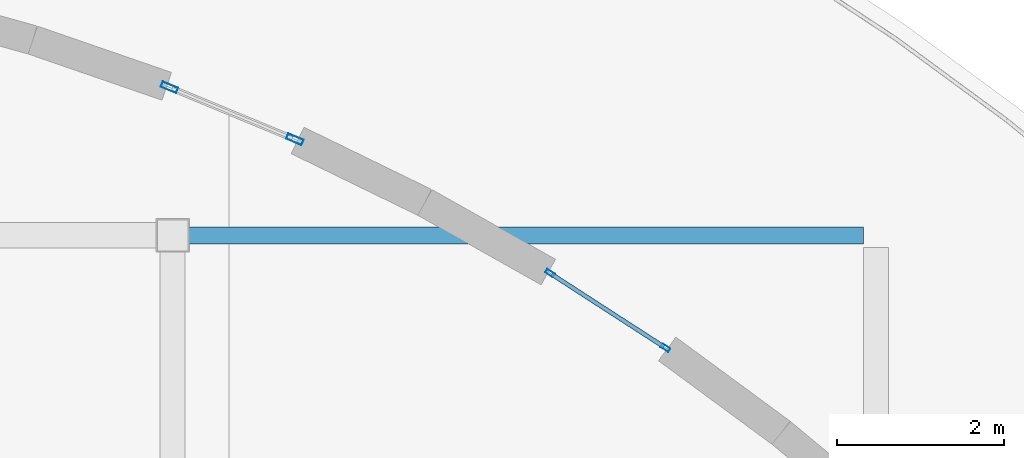
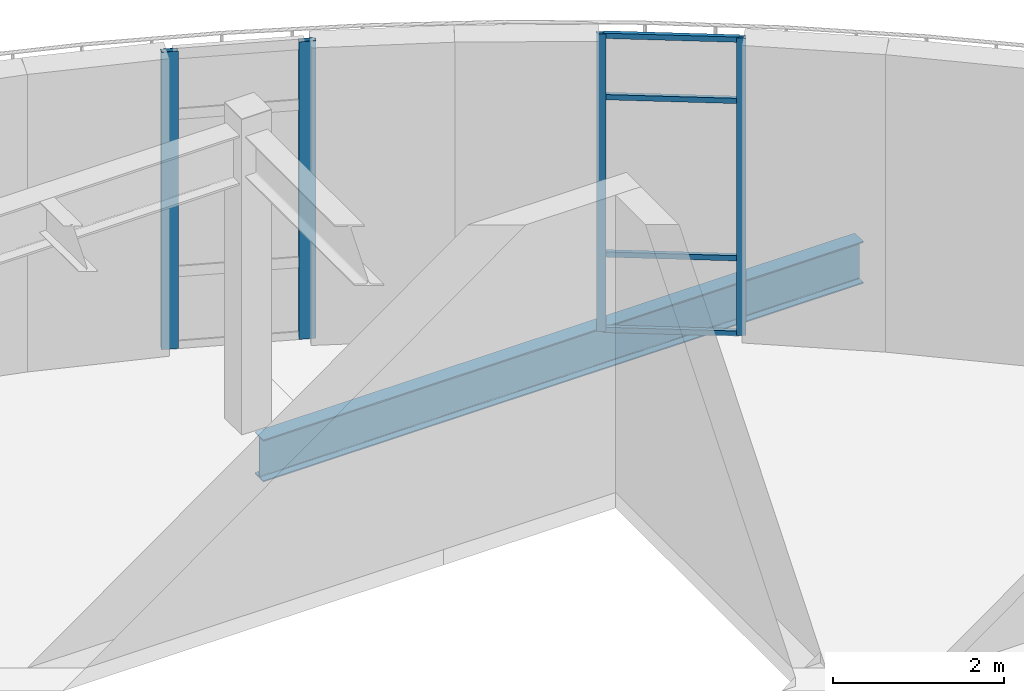
# One storey, part 16 of 26: 8 members, 1 beam, 2 elements without a shape of their own.
"""IFC4 building model written with IfcOpenShell, lengths in metres."""

from ifc_helpers import new_model, si_unit, direction, frame, origin, origin_2d, place, context, subcontext, project, spatial, hollow_rectangle, i_section, extrude, material, layer, layer_set, material_profile, profile_set, type_object, element, aggregate, save


model = new_model("IFC4")

# Units and contexts
model_context = context("Model", 3, precision=1e-05, world=origin(), true_north=direction((0.0, 1.0)))
body_context = subcontext(model_context, "Body", "Model", "MODEL_VIEW")
ifc_project = project(units=[si_unit("LENGTHUNIT", "METRE"), si_unit("AREAUNIT", "SQUARE_METRE"), si_unit("VOLUMEUNIT", "CUBIC_METRE"), si_unit("PLANEANGLEUNIT", "RADIAN"), si_unit("MASSUNIT", "GRAM", prefix="KILO"), si_unit("THERMODYNAMICTEMPERATUREUNIT", "KELVIN")], contexts=[model_context])

# Site, building, storey
site_placement = place(None, origin())
site = spatial("IfcSite", under=ifc_project, at=site_placement, CompositionType="ELEMENT")
building_placement = place(site_placement, origin())
building = spatial("IfcBuilding", under=site, at=building_placement, Name="Lustrewick Department Store", CompositionType="ELEMENT")
storey_placement = place(building_placement, frame((0.0, 0.0, 36.300048828125)))
storey = spatial("IfcBuildingStorey", under=building, at=storey_placement, Name="L08", CompositionType="ELEMENT", Elevation=36.300048828125)

# Curtain wall, members
ifc_material_1 = material(Name="Thermally broken aluminium 6063-T5", Category="aluminium")
ifc_layer_1 = layer(ifc_material_1, 0.110107421875, Name="Thermally broken aluminium 6063-T5")
ifc_layer_set_1 = layer_set([ifc_layer_1], Name="Thermally broken aluminium 6063-T5")
curtain_wall_type_1 = type_object("IfcCurtainWallType", Name="CW09", PredefinedType="NOTDEFINED", material=ifc_layer_set_1)
curtain_wall_1_placement = place(storey_placement, origin())
curtain_wall_1 = element("IfcCurtainWall", 1, at=curtain_wall_1_placement, inside=storey, type_object=curtain_wall_type_1, Name="L08 V4 Curtain Wall CW09", PredefinedType="NOTDEFINED")
ifc_material_profile_1 = material_profile(ifc_material_1, hollow_rectangle(XDim=0.050048828125, YDim=0.110107421875, WallThickness=0.0029296875, at=origin_2d()), Name="ALU-M 50x110x3")
ifc_profile_set_1 = profile_set([ifc_material_profile_1], Name="Thermally broken aluminium 6063-T5")
member_type_1 = type_object("IfcMemberType", Name="CW09-M1", PredefinedType="MULLION", material=ifc_profile_set_1)
member_1_placement = place(storey_placement, frame((131.884765625, 82.656982421875, 0.0), z_axis=(0.0, 0.0, 1.0), x_axis=(-0.542993847379, -0.839736674028, 0.0)))
member_1 = element("IfcMember", 2, at=member_1_placement, type_object=member_type_1, Name="CW09 mullion 1", PredefinedType="MULLION", context=body_context, shape_type="SweptSolid", body=[
    extrude(hollow_rectangle(XDim=0.050048828125, YDim=0.110107421875, WallThickness=0.0029296875, at=origin_2d()), origin(), (0.0, 0.0, 1.0), 4.244873046875),
])
member_2_placement = place(storey_placement, frame((130.506591796875, 83.54833984375, 0.0), z_axis=(0.0, 0.0, 1.0), x_axis=(-0.542993847379, -0.839736674028, 0.0)))
member_2 = element("IfcMember", 3, at=member_2_placement, type_object=member_type_1, Name="CW09 mullion 2", PredefinedType="MULLION", context=body_context, shape_type="SweptSolid", body=[
    extrude(hollow_rectangle(XDim=0.050048828125, YDim=0.110107421875, WallThickness=0.0029296875, at=origin_2d()), origin(), (0.0, 0.0, 1.0), 4.244873046875),
])
ifc_material_profile_2 = material_profile(ifc_material_1, hollow_rectangle(XDim=0.050048828125, YDim=0.074951171875, WallThickness=0.0029296875, at=origin_2d()), Name="ALU-T 50x75x3")
ifc_profile_set_2 = profile_set([ifc_material_profile_2], Name="Thermally broken aluminium 6063-T5")
member_type_2 = type_object("IfcMemberType", Name="CW09-T1", PredefinedType="USERDEFINED", material=ifc_profile_set_2)
member_3_placement = place(storey_placement, frame((131.86376953125, 82.670654296875, 0.02490234375), z_axis=(-0.839734777601, 0.542996780181, 0.0), x_axis=(-0.542996780181, -0.839734777601, 0.0)))
member_3 = element("IfcMember", 4, at=member_3_placement, type_object=member_type_2, Name="CW09 transom 1.1", ObjectType="TRANSOM", PredefinedType="USERDEFINED", context=body_context, shape_type="SweptSolid", body=[
    extrude(hollow_rectangle(XDim=0.050048828125, YDim=0.074951171875, WallThickness=0.0029296875, at=origin_2d()), origin(), (0.0, 0.0, 1.0), 1.59130859375),
])
member_4_placement = place(storey_placement, frame((131.86376953125, 82.670654296875, 1.099853515625), z_axis=(-0.839734777601, 0.542996780181, 0.0), x_axis=(-0.542996780181, -0.839734777601, 0.0)))
member_4 = element("IfcMember", 5, at=member_4_placement, type_object=member_type_2, Name="CW09 transom 1.2", ObjectType="TRANSOM", PredefinedType="USERDEFINED", context=body_context, shape_type="SweptSolid", body=[
    extrude(hollow_rectangle(XDim=0.050048828125, YDim=0.074951171875, WallThickness=0.0029296875, at=origin_2d()), origin(), (0.0, 0.0, 1.0), 1.59130859375),
])
member_5_placement = place(storey_placement, frame((131.86376953125, 82.670654296875, 3.344970703125), z_axis=(-0.839734777601, 0.542996780181, 0.0), x_axis=(-0.542996780181, -0.839734777601, 0.0)))
member_5 = element("IfcMember", 6, at=member_5_placement, type_object=member_type_2, Name="CW09 transom 1.3", ObjectType="TRANSOM", PredefinedType="USERDEFINED", context=body_context, shape_type="SweptSolid", body=[
    extrude(hollow_rectangle(XDim=0.050048828125, YDim=0.074951171875, WallThickness=0.0029296875, at=origin_2d()), origin(), (0.0, 0.0, 1.0), 1.59130859375),
])
member_6_placement = place(storey_placement, frame((131.86376953125, 82.670654296875, 4.219970703125), z_axis=(-0.839734777601, 0.542996780181, 0.0), x_axis=(-0.542996780181, -0.839734777601, 0.0)))
member_6 = element("IfcMember", 7, at=member_6_placement, type_object=member_type_2, Name="CW09 transom 1.4", ObjectType="TRANSOM", PredefinedType="USERDEFINED", context=body_context, shape_type="SweptSolid", body=[
    extrude(hollow_rectangle(XDim=0.050048828125, YDim=0.074951171875, WallThickness=0.0029296875, at=origin_2d()), origin(), (0.0, 0.0, 1.0), 1.59130859375),
])
aggregate(curtain_wall_1, [member_1, member_2, member_3, member_4, member_5, member_6])

ifc_layer_2 = layer(ifc_material_1, 0.199951171875, Name="Thermally broken aluminium 6063-T5")
ifc_layer_set_2 = layer_set([ifc_layer_2], Name="Thermally broken aluminium 6063-T5")
curtain_wall_type_2 = type_object("IfcCurtainWallType", Name="CW10", PredefinedType="NOTDEFINED", material=ifc_layer_set_2)
curtain_wall_2_placement = place(storey_placement, origin())
curtain_wall_2 = element("IfcCurtainWall", 8, at=curtain_wall_2_placement, inside=storey, type_object=curtain_wall_type_2, Name="L08 V4 Curtain Wall CW10", PredefinedType="NOTDEFINED")
ifc_material_profile_3 = material_profile(ifc_material_1, hollow_rectangle(XDim=0.070068359375, YDim=0.199951171875, WallThickness=0.00390625, at=origin_2d()), Name="ALU-M 70x200x4")
ifc_profile_set_3 = profile_set([ifc_material_profile_3], Name="Thermally broken aluminium 6063-T5")
member_type_3 = type_object("IfcMemberType", Name="CW10-M1", PredefinedType="MULLION", material=ifc_profile_set_3)
member_7_placement = place(storey_placement, frame((127.459228515625, 85.146484375, 0.0), z_axis=(0.0, 0.0, 1.0), x_axis=(-0.382687704562, -0.923877762898, 0.0)))
member_7 = element("IfcMember", 9, at=member_7_placement, type_object=member_type_3, Name="CW10 mullion 1", PredefinedType="MULLION", context=body_context, shape_type="SweptSolid", body=[
    extrude(hollow_rectangle(XDim=0.070068359375, YDim=0.199951171875, WallThickness=0.00390625, at=origin_2d()), origin(), (0.0, 0.0, 1.0), 4.244873046875),
])
member_8_placement = place(storey_placement, frame((125.961181640625, 85.76708984375, 0.0), z_axis=(0.0, 0.0, 1.0), x_axis=(-0.382687704562, -0.923877762898, 0.0)))
member_8 = element("IfcMember", 10, at=member_8_placement, type_object=member_type_3, Name="CW10 mullion 2", PredefinedType="MULLION", context=body_context, shape_type="SweptSolid", body=[
    extrude(hollow_rectangle(XDim=0.070068359375, YDim=0.199951171875, WallThickness=0.00390625, at=origin_2d()), origin(), (0.0, 0.0, 1.0), 4.244873046875),
])
aggregate(curtain_wall_2, [member_7, member_8])

# Beam
ifc_material_2 = material(Name="Structural steel Q355B", Category="steel")
ifc_material_profile_4 = material_profile(ifc_material_2, i_section(OverallWidth=0.199951171875, OverallDepth=0.60009765625, WebThickness=0.010986328125, FlangeThickness=0.01708984375, FilletRadius=0.01806640625, at=origin_2d()), Name="HN 600x200x11x17")
ifc_profile_set_4 = profile_set([ifc_material_profile_4], Name="Structural steel Q355B")
beam_type = type_object("IfcBeamType", Name="G14", PredefinedType="BEAM", material=ifc_profile_set_4)
beam_placement = place(storey_placement, frame((126.15087890625, 84.0, -0.554931640625), z_axis=(1.0, 0.0, 0.0), x_axis=(0.0, 1.0, 0.0)))
element("IfcBeam", 11, at=beam_placement, inside=storey, type_object=beam_type, Name="L08 V4 Girder G14", PredefinedType="BEAM", context=body_context, shape_type="SweptSolid", body=[
    extrude(i_section(OverallWidth=0.199951171875, OverallDepth=0.60009765625, WebThickness=0.010986328125, FlangeThickness=0.01708984375, FilletRadius=0.01806640625, at=origin_2d()), origin(), (0.0, 0.0, 1.0), 8.09814453125),
])

save(model, "model.ifc")
